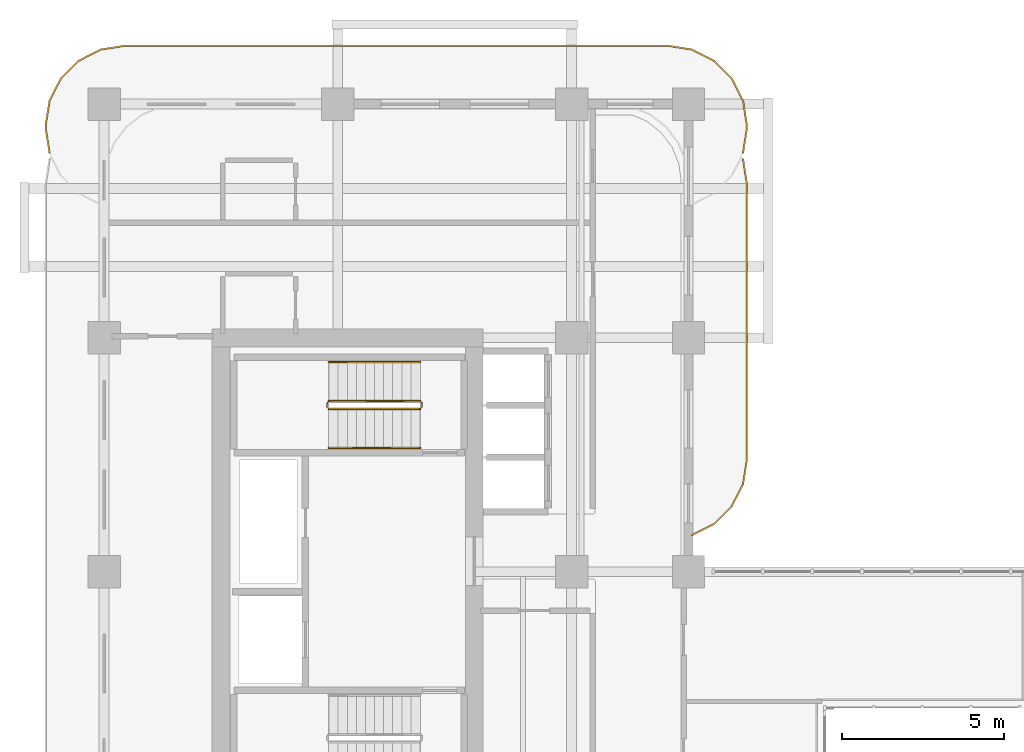
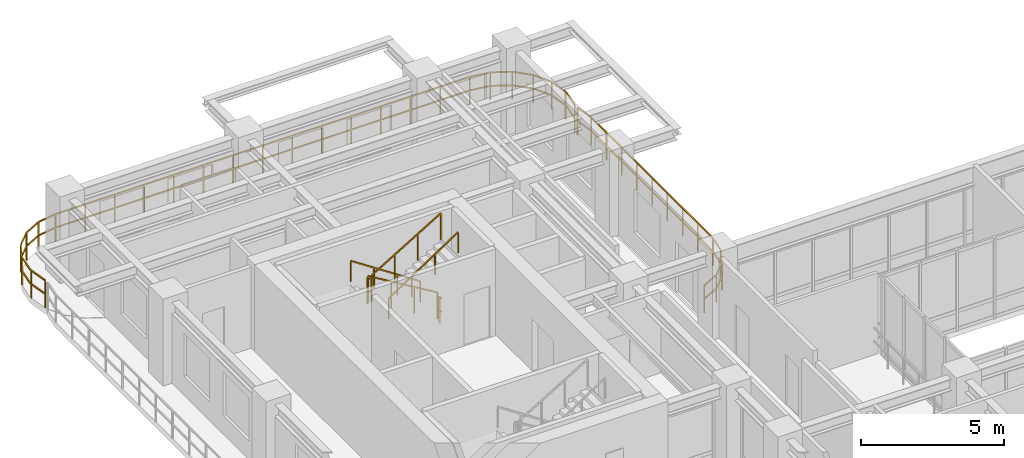
# One storey, part 20 of 20: 8 railings.
"""IFC4 building model written with IfcOpenShell, lengths in metres."""

from ifc_helpers import new_model, si_unit, derived_unit, direction, frame, origin, origin_2d, place, context, subcontext, project, spatial, rectangle, extrude, material, type_object, element, save


model = new_model("IFC4")

# Units and contexts
model_context = context("Model", 3, precision=1e-05, world=origin(), true_north=direction((0.0, 1.0)))
body_context = subcontext(model_context, "Body", "Model", "MODEL_VIEW")
ifc_project = project(units=[si_unit("LENGTHUNIT", "METRE"), si_unit("AREAUNIT", "SQUARE_METRE"), si_unit("VOLUMEUNIT", "CUBIC_METRE"), si_unit("PLANEANGLEUNIT", "RADIAN"), si_unit("MASSUNIT", "GRAM", prefix="KILO"), si_unit("THERMODYNAMICTEMPERATUREUNIT", "KELVIN"), si_unit("POWERUNIT", "WATT"), derived_unit("THERMALTRANSMITTANCEUNIT", [(si_unit("POWERUNIT", "WATT"), 1), (si_unit("AREAUNIT", "SQUARE_METRE"), -1), (si_unit("THERMODYNAMICTEMPERATUREUNIT", "KELVIN"), -1)])], contexts=[model_context])

# Site, building, storey
site_placement = place(None, origin())
site = spatial("IfcSite", under=ifc_project, at=site_placement, CompositionType="ELEMENT")
building_placement = place(site_placement, origin())
building = spatial("IfcBuilding", under=site, at=building_placement, Name="Zahravan Archway Hotel and Residences", CompositionType="ELEMENT")
storey_placement = place(building_placement, frame((0.0, 0.0, 119.199951171875)))
storey = spatial("IfcBuildingStorey", under=building, at=storey_placement, Name="L29", CompositionType="ELEMENT", Elevation=119.199951171875)

# Railings
ifc_material_1 = material(Name="Bronze & Laminated Glass Balustrade", Category="glass")
railing_type_1 = type_object("IfcRailingType", Name="RL-BAL-1200", PredefinedType="BALUSTRADE", material=ifc_material_1)
railing_1_placement = place(storey_placement, frame((-1.68017578125, 45.29296875, 0.0)))
element("IfcRailing", 1, at=railing_1_placement, inside=storey, type_object=railing_type_1, Name="L29 Balustrade RL-SLB-BAL-L29-NB-1", PredefinedType="BALUSTRADE", context=body_context, shape_type="SweptSolid", body=[
    extrude(rectangle(XDim=0.048095703125, YDim=0.048095703125, at=origin_2d()), frame((0.0, 0.0, 1.17578125), z_axis=(-0.156387811283, 0.987695728695, 0.0), x_axis=(-0.987695728695, -0.156387811283, 0.0)), (0.0, 0.0, 1.0), 0.7666015625),
    extrude(rectangle(XDim=0.048095703125, YDim=0.048095703125, at=origin_2d()), frame((0.0, 0.0, 0.60009765625), z_axis=(-0.156387811283, 0.987695728695, 0.0), x_axis=(-0.987695728695, -0.156387811283, 0.0)), (0.0, 0.0, 1.0), 0.7666015625),
    extrude(rectangle(XDim=0.048095703125, YDim=0.048095703125, at=origin_2d()), frame((-0.119873046875, 0.757080078125, 1.17578125), z_axis=(0.0, 1.0, 0.0), x_axis=(-1.0, 0.0, 0.0)), (0.0, 0.0, 1.0), 0.099853515625),
    extrude(rectangle(XDim=0.048095703125, YDim=0.048095703125, at=origin_2d()), frame((-0.119873046875, 0.757080078125, 0.60009765625), z_axis=(0.0, 1.0, 0.0), x_axis=(-1.0, 0.0, 0.0)), (0.0, 0.0, 1.0), 0.099853515625),
    extrude(rectangle(XDim=0.048095703125, YDim=0.048095703125, at=origin_2d()), frame((-0.119873046875, 0.85693359375, 1.17578125), z_axis=(0.156387811283, 0.987695728695, 0.0), x_axis=(-0.987695728695, 0.156387811283, 0.0)), (0.0, 0.0, 1.0), 0.7666015625),
    extrude(rectangle(XDim=0.048095703125, YDim=0.048095703125, at=origin_2d()), frame((-0.119873046875, 0.85693359375, 0.60009765625), z_axis=(0.156387811283, 0.987695728695, 0.0), x_axis=(-0.987695728695, 0.156387811283, 0.0)), (0.0, 0.0, 1.0), 0.7666015625),
    extrude(rectangle(XDim=0.048095703125, YDim=0.048095703125, at=origin_2d()), frame((0.0, 1.614013671875, 1.17578125), z_axis=(0.454078418624, 0.890961721815, 0.0), x_axis=(-0.890961721815, 0.454078418624, 0.0)), (0.0, 0.0, 1.0), 0.7666015625),
    extrude(rectangle(XDim=0.048095703125, YDim=0.048095703125, at=origin_2d()), frame((0.0, 1.614013671875, 0.60009765625), z_axis=(0.454078418624, 0.890961721815, 0.0), x_axis=(-0.890961721815, 0.454078418624, 0.0)), (0.0, 0.0, 1.0), 0.7666015625),
    extrude(rectangle(XDim=0.048095703125, YDim=0.048095703125, at=origin_2d()), frame((0.34814453125, 2.297119140625, 1.17578125), z_axis=(0.707106781187, 0.707106781187, 0.0), x_axis=(-0.707106781187, 0.707106781187, 0.0)), (0.0, 0.0, 1.0), 0.7666015625),
    extrude(rectangle(XDim=0.048095703125, YDim=0.048095703125, at=origin_2d()), frame((0.34814453125, 2.297119140625, 0.60009765625), z_axis=(0.707106781187, 0.707106781187, 0.0), x_axis=(-0.707106781187, 0.707106781187, 0.0)), (0.0, 0.0, 1.0), 0.7666015625),
    extrude(rectangle(XDim=0.048095703125, YDim=0.048095703125, at=origin_2d()), frame((0.89013671875, 2.839111328125, 1.17578125), z_axis=(0.891024909783, 0.453954414172, 0.0), x_axis=(-0.453954414172, 0.891024909783, 0.0)), (0.0, 0.0, 1.0), 0.766357421875),
    extrude(rectangle(XDim=0.048095703125, YDim=0.048095703125, at=origin_2d()), frame((0.89013671875, 2.839111328125, 0.60009765625), z_axis=(0.891024909783, 0.453954414172, 0.0), x_axis=(-0.453954414172, 0.891024909783, 0.0)), (0.0, 0.0, 1.0), 0.766357421875),
    extrude(rectangle(XDim=0.048095703125, YDim=0.048095703125, at=origin_2d()), frame((1.572998046875, 3.18701171875, 1.17578125), z_axis=(0.987646484274, 0.156698507018, 0.0), x_axis=(-0.156698507018, 0.987646484274, 0.0)), (0.0, 0.0, 1.0), 0.7666015625),
    extrude(rectangle(XDim=0.048095703125, YDim=0.048095703125, at=origin_2d()), frame((1.572998046875, 3.18701171875, 0.60009765625), z_axis=(0.987646484274, 0.156698507018, 0.0), x_axis=(-0.156698507018, 0.987646484274, 0.0)), (0.0, 0.0, 1.0), 0.7666015625),
    extrude(rectangle(XDim=0.048095703125, YDim=0.048095703125, at=origin_2d()), frame((2.330078125, 3.30712890625, 1.17578125), z_axis=(1.0, 0.0, 0.0), x_axis=(0.0, 1.0, 0.0)), (0.0, 0.0, 1.0), 16.7001953125),
    extrude(rectangle(XDim=0.048095703125, YDim=0.048095703125, at=origin_2d()), frame((2.330078125, 3.30712890625, 0.60009765625), z_axis=(1.0, 0.0, 0.0), x_axis=(0.0, 1.0, 0.0)), (0.0, 0.0, 1.0), 16.7001953125),
    extrude(rectangle(XDim=0.048095703125, YDim=0.048095703125, at=origin_2d()), frame((19.0302734375, 3.30712890625, 1.17578125), z_axis=(0.987646484274, -0.156698507018, 0.0), x_axis=(0.156698507018, 0.987646484274, 0.0)), (0.0, 0.0, 1.0), 0.7666015625),
    extrude(rectangle(XDim=0.048095703125, YDim=0.048095703125, at=origin_2d()), frame((19.0302734375, 3.30712890625, 0.60009765625), z_axis=(0.987646484274, -0.156698507018, 0.0), x_axis=(0.156698507018, 0.987646484274, 0.0)), (0.0, 0.0, 1.0), 0.7666015625),
    extrude(rectangle(XDim=0.048095703125, YDim=0.048095703125, at=origin_2d()), frame((19.787353515625, 3.18701171875, 1.17578125), z_axis=(0.891024909783, -0.453954414172, 0.0), x_axis=(0.453954414172, 0.891024909783, 0.0)), (0.0, 0.0, 1.0), 0.766357421875),
    extrude(rectangle(XDim=0.048095703125, YDim=0.048095703125, at=origin_2d()), frame((19.787353515625, 3.18701171875, 0.60009765625), z_axis=(0.891024909783, -0.453954414172, 0.0), x_axis=(0.453954414172, 0.891024909783, 0.0)), (0.0, 0.0, 1.0), 0.766357421875),
    extrude(rectangle(XDim=0.048095703125, YDim=0.048095703125, at=origin_2d()), frame((20.47021484375, 2.839111328125, 1.17578125), z_axis=(0.707106781187, -0.707106781187, 0.0), x_axis=(0.707106781187, 0.707106781187, 0.0)), (0.0, 0.0, 1.0), 0.7666015625),
    extrude(rectangle(XDim=0.048095703125, YDim=0.048095703125, at=origin_2d()), frame((20.47021484375, 2.839111328125, 0.60009765625), z_axis=(0.707106781187, -0.707106781187, 0.0), x_axis=(0.707106781187, 0.707106781187, 0.0)), (0.0, 0.0, 1.0), 0.7666015625),
    extrude(rectangle(XDim=0.048095703125, YDim=0.048095703125, at=origin_2d()), frame((21.01220703125, 2.297119140625, 1.17578125), z_axis=(0.454078418624, -0.890961721815, 0.0), x_axis=(0.890961721815, 0.454078418624, 0.0)), (0.0, 0.0, 1.0), 0.7666015625),
    extrude(rectangle(XDim=0.048095703125, YDim=0.048095703125, at=origin_2d()), frame((21.01220703125, 2.297119140625, 0.60009765625), z_axis=(0.454078418624, -0.890961721815, 0.0), x_axis=(0.890961721815, 0.454078418624, 0.0)), (0.0, 0.0, 1.0), 0.7666015625),
    extrude(rectangle(XDim=0.048095703125, YDim=0.048095703125, at=origin_2d()), frame((21.3603515625, 1.614013671875, 1.17578125), z_axis=(0.156387811283, -0.987695728695, 0.0), x_axis=(0.987695728695, 0.156387811283, 0.0)), (0.0, 0.0, 1.0), 0.7666015625),
    extrude(rectangle(XDim=0.048095703125, YDim=0.048095703125, at=origin_2d()), frame((21.3603515625, 1.614013671875, 0.60009765625), z_axis=(0.156387811283, -0.987695728695, 0.0), x_axis=(0.987695728695, 0.156387811283, 0.0)), (0.0, 0.0, 1.0), 0.7666015625),
    extrude(rectangle(XDim=0.048095703125, YDim=0.048095703125, at=origin_2d()), frame((21.480224609375, 0.85693359375, 1.17578125), z_axis=(0.0, -1.0, 0.0), x_axis=(1.0, 0.0, 0.0)), (0.0, 0.0, 1.0), 0.099853515625),
    extrude(rectangle(XDim=0.048095703125, YDim=0.048095703125, at=origin_2d()), frame((21.480224609375, 0.85693359375, 0.60009765625), z_axis=(0.0, -1.0, 0.0), x_axis=(1.0, 0.0, 0.0)), (0.0, 0.0, 1.0), 0.099853515625),
    extrude(rectangle(XDim=0.048095703125, YDim=0.048095703125, at=origin_2d()), frame((21.480224609375, 0.757080078125, 1.17578125), z_axis=(-0.156387811283, -0.987695728695, 0.0), x_axis=(0.987695728695, -0.156387811283, 0.0)), (0.0, 0.0, 1.0), 0.7666015625),
    extrude(rectangle(XDim=0.048095703125, YDim=0.048095703125, at=origin_2d()), frame((21.480224609375, 0.757080078125, 0.60009765625), z_axis=(-0.156387811283, -0.987695728695, 0.0), x_axis=(0.987695728695, -0.156387811283, 0.0)), (0.0, 0.0, 1.0), 0.7666015625),
    extrude(rectangle(XDim=0.0419921875, YDim=0.0419921875, at=origin_2d()), origin(), (0.0, 0.0, 1.0), 1.15185546875),
    extrude(rectangle(XDim=0.0419921875, YDim=0.0419921875, at=origin_2d()), frame((-0.119873046875, 0.757080078125, 0.0)), (0.0, 0.0, 1.0), 1.15185546875),
    extrude(rectangle(XDim=0.0419921875, YDim=0.0419921875, at=origin_2d()), frame((0.0, 1.614013671875, 0.0)), (0.0, 0.0, 1.0), 1.15185546875),
    extrude(rectangle(XDim=0.0419921875, YDim=0.0419921875, at=origin_2d()), frame((0.34814453125, 2.297119140625, 0.0)), (0.0, 0.0, 1.0), 1.15185546875),
    extrude(rectangle(XDim=0.0419921875, YDim=0.0419921875, at=origin_2d()), frame((0.89013671875, 2.839111328125, 0.0)), (0.0, 0.0, 1.0), 1.15185546875),
    extrude(rectangle(XDim=0.0419921875, YDim=0.0419921875, at=origin_2d()), frame((1.572998046875, 3.18701171875, 0.0)), (0.0, 0.0, 1.0), 1.15185546875),
    extrude(rectangle(XDim=0.0419921875, YDim=0.0419921875, at=origin_2d()), frame((2.330078125, 3.30712890625, 0.0)), (0.0, 0.0, 1.0), 1.15185546875),
    extrude(rectangle(XDim=0.0419921875, YDim=0.0419921875, at=origin_2d()), frame((3.52294921875, 3.30712890625, 0.0)), (0.0, 0.0, 1.0), 1.15185546875),
    extrude(rectangle(XDim=0.0419921875, YDim=0.0419921875, at=origin_2d()), frame((4.7158203125, 3.30712890625, 0.0)), (0.0, 0.0, 1.0), 1.15185546875),
    extrude(rectangle(XDim=0.0419921875, YDim=0.0419921875, at=origin_2d()), frame((5.90869140625, 3.30712890625, 0.0)), (0.0, 0.0, 1.0), 1.15185546875),
    extrude(rectangle(XDim=0.0419921875, YDim=0.0419921875, at=origin_2d()), frame((7.1015625, 3.30712890625, 0.0)), (0.0, 0.0, 1.0), 1.15185546875),
    extrude(rectangle(XDim=0.0419921875, YDim=0.0419921875, at=origin_2d()), frame((8.29443359375, 3.30712890625, 0.0)), (0.0, 0.0, 1.0), 1.15185546875),
    extrude(rectangle(XDim=0.0419921875, YDim=0.0419921875, at=origin_2d()), frame((9.4873046875, 3.30712890625, 0.0)), (0.0, 0.0, 1.0), 1.15185546875),
    extrude(rectangle(XDim=0.0419921875, YDim=0.0419921875, at=origin_2d()), frame((10.68017578125, 3.30712890625, 0.0)), (0.0, 0.0, 1.0), 1.15185546875),
    extrude(rectangle(XDim=0.0419921875, YDim=0.0419921875, at=origin_2d()), frame((11.873046875, 3.30712890625, 0.0)), (0.0, 0.0, 1.0), 1.15185546875),
    extrude(rectangle(XDim=0.0419921875, YDim=0.0419921875, at=origin_2d()), frame((13.06591796875, 3.30712890625, 0.0)), (0.0, 0.0, 1.0), 1.15185546875),
    extrude(rectangle(XDim=0.0419921875, YDim=0.0419921875, at=origin_2d()), frame((14.2587890625, 3.30712890625, 0.0)), (0.0, 0.0, 1.0), 1.15185546875),
    extrude(rectangle(XDim=0.0419921875, YDim=0.0419921875, at=origin_2d()), frame((15.45166015625, 3.30712890625, 0.0)), (0.0, 0.0, 1.0), 1.15185546875),
    extrude(rectangle(XDim=0.0419921875, YDim=0.0419921875, at=origin_2d()), frame((16.64453125, 3.30712890625, 0.0)), (0.0, 0.0, 1.0), 1.15185546875),
    extrude(rectangle(XDim=0.0419921875, YDim=0.0419921875, at=origin_2d()), frame((17.83740234375, 3.30712890625, 0.0)), (0.0, 0.0, 1.0), 1.15185546875),
    extrude(rectangle(XDim=0.0419921875, YDim=0.0419921875, at=origin_2d()), frame((19.0302734375, 3.30712890625, 0.0)), (0.0, 0.0, 1.0), 1.15185546875),
    extrude(rectangle(XDim=0.0419921875, YDim=0.0419921875, at=origin_2d()), frame((19.787353515625, 3.18701171875, 0.0)), (0.0, 0.0, 1.0), 1.15185546875),
    extrude(rectangle(XDim=0.0419921875, YDim=0.0419921875, at=origin_2d()), frame((20.47021484375, 2.839111328125, 0.0)), (0.0, 0.0, 1.0), 1.15185546875),
    extrude(rectangle(XDim=0.0419921875, YDim=0.0419921875, at=origin_2d()), frame((21.01220703125, 2.297119140625, 0.0)), (0.0, 0.0, 1.0), 1.15185546875),
    extrude(rectangle(XDim=0.0419921875, YDim=0.0419921875, at=origin_2d()), frame((21.3603515625, 1.614013671875, 0.0)), (0.0, 0.0, 1.0), 1.15185546875),
    extrude(rectangle(XDim=0.0419921875, YDim=0.0419921875, at=origin_2d()), frame((21.480224609375, 0.85693359375, 0.0)), (0.0, 0.0, 1.0), 1.15185546875),
    extrude(rectangle(XDim=0.0419921875, YDim=0.0419921875, at=origin_2d()), frame((21.3603515625, 0.0, 0.0)), (0.0, 0.0, 1.0), 1.15185546875),
])
railing_2_placement = place(storey_placement, frame((19.68017578125, 45.107177734375, 0.0)))
element("IfcRailing", 2, at=railing_2_placement, inside=storey, type_object=railing_type_1, Name="L29 Balustrade RL-SLB-BAL-L29-EB-1", PredefinedType="BALUSTRADE", context=body_context, shape_type="SweptSolid", body=[
    extrude(rectangle(XDim=0.048095703125, YDim=0.048095703125, at=origin_2d()), frame((0.0, 0.0, 1.17578125), z_axis=(0.156387811283, -0.987695728695, 0.0), x_axis=(0.987695728695, 0.156387811283, 0.0)), (0.0, 0.0, 1.0), 0.7666015625),
    extrude(rectangle(XDim=0.048095703125, YDim=0.048095703125, at=origin_2d()), frame((0.0, 0.0, 0.60009765625), z_axis=(0.156387811283, -0.987695728695, 0.0), x_axis=(0.987695728695, 0.156387811283, 0.0)), (0.0, 0.0, 1.0), 0.7666015625),
    extrude(rectangle(XDim=0.048095703125, YDim=0.048095703125, at=origin_2d()), frame((0.119873046875, -0.757080078125, 1.17578125), z_axis=(0.0, -1.0, 0.0), x_axis=(1.0, 0.0, 0.0)), (0.0, 0.0, 1.0), 8.5),
    extrude(rectangle(XDim=0.048095703125, YDim=0.048095703125, at=origin_2d()), frame((0.119873046875, -0.757080078125, 0.60009765625), z_axis=(0.0, -1.0, 0.0), x_axis=(1.0, 0.0, 0.0)), (0.0, 0.0, 1.0), 8.5),
    extrude(rectangle(XDim=0.048095703125, YDim=0.048095703125, at=origin_2d()), frame((0.119873046875, -9.257080078125, 1.17578125), z_axis=(-0.156387811283, -0.987695728695, 0.0), x_axis=(0.987695728695, -0.156387811283, 0.0)), (0.0, 0.0, 1.0), 0.7666015625),
    extrude(rectangle(XDim=0.048095703125, YDim=0.048095703125, at=origin_2d()), frame((0.119873046875, -9.257080078125, 0.60009765625), z_axis=(-0.156387811283, -0.987695728695, 0.0), x_axis=(0.987695728695, -0.156387811283, 0.0)), (0.0, 0.0, 1.0), 0.7666015625),
    extrude(rectangle(XDim=0.048095703125, YDim=0.048095703125, at=origin_2d()), frame((0.0, -10.01416015625, 1.17578125), z_axis=(-0.454078418624, -0.890961721815, 0.0), x_axis=(0.890961721815, -0.454078418624, 0.0)), (0.0, 0.0, 1.0), 0.7666015625),
    extrude(rectangle(XDim=0.048095703125, YDim=0.048095703125, at=origin_2d()), frame((0.0, -10.01416015625, 0.60009765625), z_axis=(-0.454078418624, -0.890961721815, 0.0), x_axis=(0.890961721815, -0.454078418624, 0.0)), (0.0, 0.0, 1.0), 0.7666015625),
    extrude(rectangle(XDim=0.048095703125, YDim=0.048095703125, at=origin_2d()), frame((-0.34814453125, -10.697265625, 1.17578125), z_axis=(-0.707106781187, -0.707106781187, 0.0), x_axis=(0.707106781187, -0.707106781187, 0.0)), (0.0, 0.0, 1.0), 0.7666015625),
    extrude(rectangle(XDim=0.048095703125, YDim=0.048095703125, at=origin_2d()), frame((-0.34814453125, -10.697265625, 0.60009765625), z_axis=(-0.707106781187, -0.707106781187, 0.0), x_axis=(0.707106781187, -0.707106781187, 0.0)), (0.0, 0.0, 1.0), 0.7666015625),
    extrude(rectangle(XDim=0.048095703125, YDim=0.048095703125, at=origin_2d()), frame((-0.89013671875, -11.2392578125, 1.17578125), z_axis=(-0.891024909783, -0.453954414172, 0.0), x_axis=(0.453954414172, -0.891024909783, 0.0)), (0.0, 0.0, 1.0), 0.766357421875),
    extrude(rectangle(XDim=0.048095703125, YDim=0.048095703125, at=origin_2d()), frame((-0.89013671875, -11.2392578125, 0.60009765625), z_axis=(-0.891024909783, -0.453954414172, 0.0), x_axis=(0.453954414172, -0.891024909783, 0.0)), (0.0, 0.0, 1.0), 0.766357421875),
    extrude(rectangle(XDim=0.0419921875, YDim=0.0419921875, at=origin_2d()), origin(), (0.0, 0.0, 1.0), 1.15185546875),
    extrude(rectangle(XDim=0.0419921875, YDim=0.0419921875, at=origin_2d()), frame((0.119873046875, -0.757080078125, 0.0)), (0.0, 0.0, 1.0), 1.15185546875),
    extrude(rectangle(XDim=0.0419921875, YDim=0.0419921875, at=origin_2d()), frame((0.119873046875, -1.819580078125, 0.0)), (0.0, 0.0, 1.0), 1.15185546875),
    extrude(rectangle(XDim=0.0419921875, YDim=0.0419921875, at=origin_2d()), frame((0.119873046875, -2.882080078125, 0.0)), (0.0, 0.0, 1.0), 1.15185546875),
    extrude(rectangle(XDim=0.0419921875, YDim=0.0419921875, at=origin_2d()), frame((0.119873046875, -3.944580078125, 0.0)), (0.0, 0.0, 1.0), 1.15185546875),
    extrude(rectangle(XDim=0.0419921875, YDim=0.0419921875, at=origin_2d()), frame((0.119873046875, -5.007080078125, 0.0)), (0.0, 0.0, 1.0), 1.15185546875),
    extrude(rectangle(XDim=0.0419921875, YDim=0.0419921875, at=origin_2d()), frame((0.119873046875, -6.069580078125, 0.0)), (0.0, 0.0, 1.0), 1.15185546875),
    extrude(rectangle(XDim=0.0419921875, YDim=0.0419921875, at=origin_2d()), frame((0.119873046875, -7.132080078125, 0.0)), (0.0, 0.0, 1.0), 1.15185546875),
    extrude(rectangle(XDim=0.0419921875, YDim=0.0419921875, at=origin_2d()), frame((0.119873046875, -8.194580078125, 0.0)), (0.0, 0.0, 1.0), 1.15185546875),
    extrude(rectangle(XDim=0.0419921875, YDim=0.0419921875, at=origin_2d()), frame((0.119873046875, -9.257080078125, 0.0)), (0.0, 0.0, 1.0), 1.15185546875),
    extrude(rectangle(XDim=0.0419921875, YDim=0.0419921875, at=origin_2d()), frame((0.0, -10.01416015625, 0.0)), (0.0, 0.0, 1.0), 1.15185546875),
    extrude(rectangle(XDim=0.0419921875, YDim=0.0419921875, at=origin_2d()), frame((-0.34814453125, -10.697265625, 0.0)), (0.0, 0.0, 1.0), 1.15185546875),
    extrude(rectangle(XDim=0.0419921875, YDim=0.0419921875, at=origin_2d()), frame((-0.89013671875, -11.2392578125, 0.0)), (0.0, 0.0, 1.0), 1.15185546875),
    extrude(rectangle(XDim=0.0419921875, YDim=0.0419921875, at=origin_2d()), frame((-1.572998046875, -11.587158203125, 0.0)), (0.0, 0.0, 1.0), 1.15185546875),
])
ifc_material_2 = material(Name="Painted Tubular Steel", Category="steel")
railing_type_2 = type_object("IfcRailingType", Name="RL-STG-1150", PredefinedType="GUARDRAIL", material=ifc_material_2)
railing_3_placement = place(storey_placement, frame((9.72998046875, 37.64990234375, 0.168212890625)))
element("IfcRailing", 3, at=railing_3_placement, inside=storey, type_object=railing_type_2, Name="L29 ST-B2 stair guard 1", PredefinedType="GUARDRAIL", context=body_context, shape_type="SweptSolid", body=[
    extrude(rectangle(XDim=0.048095703125, YDim=0.048095703125, at=origin_2d()), frame((0.0, 0.0, 1.1259765625), z_axis=(-0.857242210791, 0.0, 0.514913383045), x_axis=(0.0, -1.0, 0.0)), (0.0, 0.0, 1.0), 3.266357421875),
    extrude(rectangle(XDim=0.0419921875, YDim=0.0419921875, at=origin_2d()), origin(), (0.0, 0.0, 1.0), 1.101806640625),
    extrude(rectangle(XDim=0.0419921875, YDim=0.0419921875, at=origin_2d()), frame((-0.933349609375, 0.0, 0.560546875)), (0.0, 0.0, 1.0), 1.101806640625),
    extrude(rectangle(XDim=0.0419921875, YDim=0.0419921875, at=origin_2d()), frame((-1.86669921875, 0.0, 1.121337890625)), (0.0, 0.0, 1.0), 1.101806640625),
    extrude(rectangle(XDim=0.0419921875, YDim=0.0419921875, at=origin_2d()), frame((-2.800048828125, 0.0, 1.681884765625)), (0.0, 0.0, 1.0), 1.101806640625),
])
railing_4_placement = place(storey_placement, frame((6.8798828125, 37.60009765625, 1.85009765625)))
element("IfcRailing", 4, at=railing_4_placement, inside=storey, type_object=railing_type_2, Name="L29 ST-B2 stair guard 2", PredefinedType="GUARDRAIL", context=body_context, shape_type="SweptSolid", body=[
    extrude(rectangle(XDim=0.048095703125, YDim=0.048095703125, at=origin_2d()), frame((0.0, 0.0, 1.1259765625), z_axis=(0.0, -1.0, 0.0), x_axis=(1.0, 0.0, 0.0)), (0.0, 0.0, 1.0), 0.14013671875),
    extrude(rectangle(XDim=0.048095703125, YDim=0.048095703125, at=origin_2d()), frame((0.0, 0.0, 0.574951171875), z_axis=(0.0, -1.0, 0.0), x_axis=(1.0, 0.0, 0.0)), (0.0, 0.0, 1.0), 0.14013671875),
    extrude(rectangle(XDim=0.0419921875, YDim=0.0419921875, at=origin_2d()), origin(), (0.0, 0.0, 1.0), 1.101806640625),
])
railing_5_placement = place(storey_placement, frame((6.929931640625, 37.409912109375, 2.018310546875)))
element("IfcRailing", 5, at=railing_5_placement, inside=storey, type_object=railing_type_2, Name="L29 ST-B2 stair guard 3", PredefinedType="GUARDRAIL", context=body_context, shape_type="SweptSolid", body=[
    extrude(rectangle(XDim=0.048095703125, YDim=0.048095703125, at=origin_2d()), frame((0.0, 0.0, 1.1259765625), z_axis=(0.857275202839, 0.0, 0.514858452973), x_axis=(0.0, 1.0, 0.0)), (0.0, 0.0, 1.0), 3.26611328125),
    extrude(rectangle(XDim=0.0419921875, YDim=0.0419921875, at=origin_2d()), origin(), (0.0, 0.0, 1.0), 1.101806640625),
    extrude(rectangle(XDim=0.0419921875, YDim=0.0419921875, at=origin_2d()), frame((0.933349609375, 0.0, 0.560546875)), (0.0, 0.0, 1.0), 1.101806640625),
    extrude(rectangle(XDim=0.0419921875, YDim=0.0419921875, at=origin_2d()), frame((1.86669921875, 0.0, 1.12109375)), (0.0, 0.0, 1.0), 1.101806640625),
    extrude(rectangle(XDim=0.0419921875, YDim=0.0419921875, at=origin_2d()), frame((2.800048828125, 0.0, 1.681640625)), (0.0, 0.0, 1.0), 1.101806640625),
])
railing_6_placement = place(storey_placement, frame((9.780029296875, 37.60009765625, 0.0)))
element("IfcRailing", 6, at=railing_6_placement, inside=storey, type_object=railing_type_2, Name="L29 ST-B2 stair guard 4", PredefinedType="GUARDRAIL", context=body_context, shape_type="SweptSolid", body=[
    extrude(rectangle(XDim=0.048095703125, YDim=0.048095703125, at=origin_2d()), frame((0.0, 0.0, 1.1259765625), z_axis=(0.0, -1.0, 0.0), x_axis=(1.0, 0.0, 0.0)), (0.0, 0.0, 1.0), 0.14013671875),
    extrude(rectangle(XDim=0.048095703125, YDim=0.048095703125, at=origin_2d()), frame((0.0, 0.0, 0.574951171875), z_axis=(0.0, -1.0, 0.0), x_axis=(1.0, 0.0, 0.0)), (0.0, 0.0, 1.0), 0.14013671875),
    extrude(rectangle(XDim=0.0419921875, YDim=0.0419921875, at=origin_2d()), origin(), (0.0, 0.0, 1.0), 1.101806640625),
])
ifc_material_3 = material(Name="Brushed Stainless Steel", Category="steel")
railing_type_3 = type_object("IfcRailingType", Name="RL-STH-900", PredefinedType="HANDRAIL", material=ifc_material_3)
railing_7_placement = place(storey_placement, frame((9.72998046875, 38.85009765625, 0.168212890625)))
element("IfcRailing", 7, at=railing_7_placement, inside=storey, type_object=railing_type_3, Name="L29 ST-B2 stair handrail 1", PredefinedType="HANDRAIL", context=body_context, shape_type="SweptSolid", body=[
    extrude(rectangle(XDim=0.048095703125, YDim=0.048095703125, at=origin_2d()), frame((0.0, 0.0, 0.8759765625), z_axis=(-0.834326358476, 0.0, 0.551270829586), x_axis=(0.0, -1.0, 0.0)), (0.0, 0.0, 1.0), 3.35595703125),
    extrude(rectangle(XDim=0.0419921875, YDim=0.0419921875, at=origin_2d()), origin(), (0.0, 0.0, 1.0), 0.851806640625),
    extrude(rectangle(XDim=0.0419921875, YDim=0.0419921875, at=origin_2d()), frame((-0.933349609375, 0.0, 0.61669921875)), (0.0, 0.0, 1.0), 0.851806640625),
    extrude(rectangle(XDim=0.0419921875, YDim=0.0419921875, at=origin_2d()), frame((-1.86669921875, 0.0, 1.2333984375)), (0.0, 0.0, 1.0), 0.851806640625),
    extrude(rectangle(XDim=0.0419921875, YDim=0.0419921875, at=origin_2d()), frame((-2.800048828125, 0.0, 1.85009765625)), (0.0, 0.0, 1.0), 0.851806640625),
])
railing_8_placement = place(storey_placement, frame((6.929931640625, 36.2099609375, 2.018310546875)))
element("IfcRailing", 8, at=railing_8_placement, inside=storey, type_object=railing_type_3, Name="L29 ST-B2 stair handrail 2", PredefinedType="HANDRAIL", context=body_context, shape_type="SweptSolid", body=[
    extrude(rectangle(XDim=0.048095703125, YDim=0.048095703125, at=origin_2d()), frame((0.0, 0.0, 0.8759765625), z_axis=(0.83435981716, 0.0, 0.551220187865), x_axis=(0.0, 1.0, 0.0)), (0.0, 0.0, 1.0), 3.35595703125),
    extrude(rectangle(XDim=0.0419921875, YDim=0.0419921875, at=origin_2d()), origin(), (0.0, 0.0, 1.0), 0.851806640625),
    extrude(rectangle(XDim=0.0419921875, YDim=0.0419921875, at=origin_2d()), frame((0.933349609375, 0.0, 0.61669921875)), (0.0, 0.0, 1.0), 0.851806640625),
    extrude(rectangle(XDim=0.0419921875, YDim=0.0419921875, at=origin_2d()), frame((1.86669921875, 0.0, 1.233154296875)), (0.0, 0.0, 1.0), 0.851806640625),
    extrude(rectangle(XDim=0.0419921875, YDim=0.0419921875, at=origin_2d()), frame((2.800048828125, 0.0, 1.849853515625)), (0.0, 0.0, 1.0), 0.851806640625),
])

save(model, "model.ifc")
